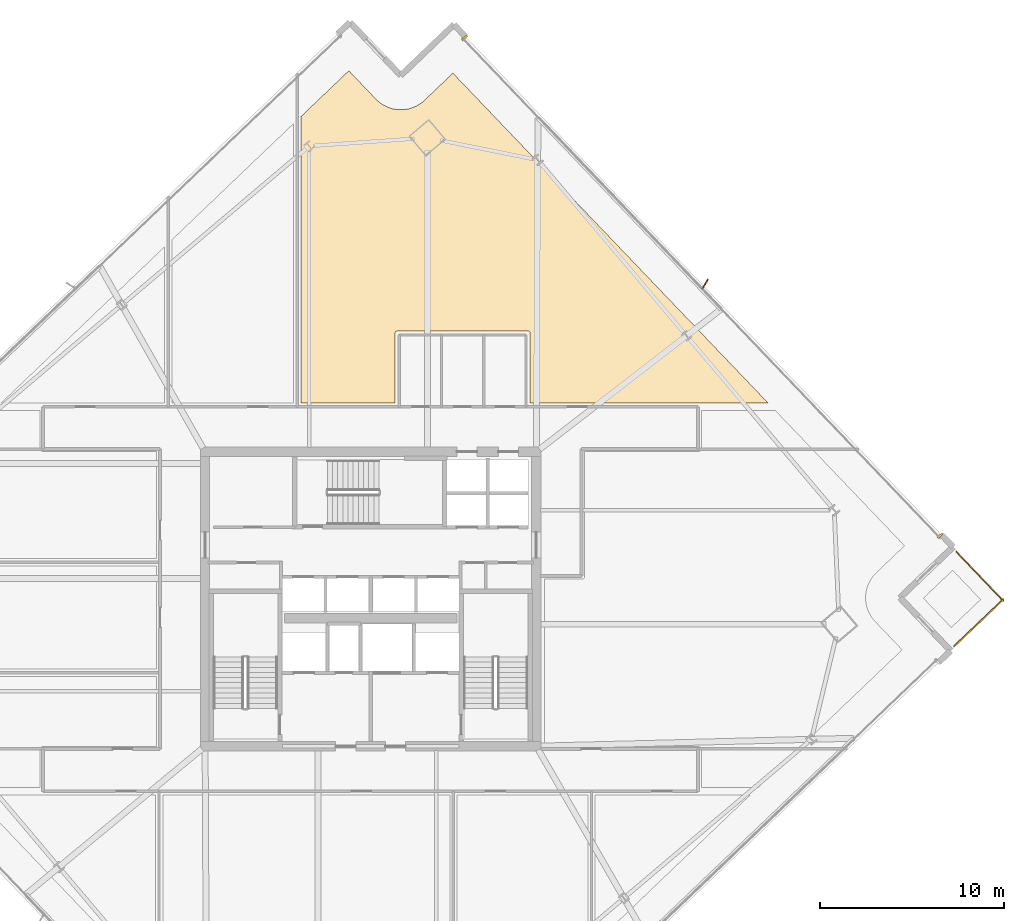
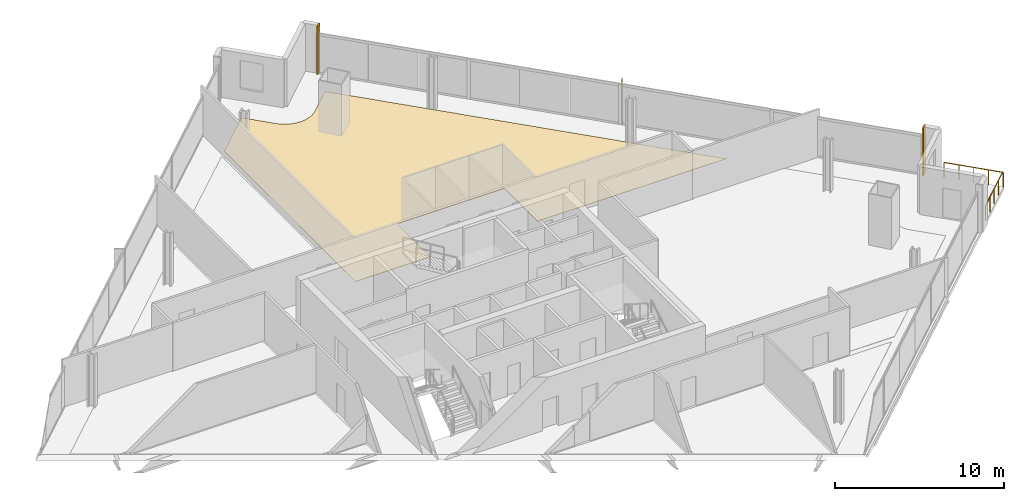
# One storey, part 33 of 33: 3 coverings, 2 railings, 1 shading device.
"""IFC4 building model written with IfcOpenShell, lengths in metres."""

from ifc_helpers import new_model, si_unit, direction, frame, origin, origin_2d, place, context, subcontext, project, spatial, polyline, rectangle, outline, extrude, source, transform, mapped, material, layer, layer_set, type_object, element, save


model = new_model("IFC4")

# Units and contexts
model_context = context("Model", 3, precision=1e-05, world=origin(), true_north=direction((0.0, 1.0)))
body_context = subcontext(model_context, "Body", "Model", "MODEL_VIEW")
ifc_project = project(units=[si_unit("LENGTHUNIT", "METRE"), si_unit("AREAUNIT", "SQUARE_METRE"), si_unit("VOLUMEUNIT", "CUBIC_METRE"), si_unit("PLANEANGLEUNIT", "RADIAN"), si_unit("MASSUNIT", "GRAM", prefix="KILO")], contexts=[model_context])

# Site, building, storey
site_placement = place(None, origin())
site = spatial("IfcSite", under=ifc_project, at=site_placement, CompositionType="ELEMENT")
building_placement = place(site_placement, origin())
building = spatial("IfcBuilding", under=site, at=building_placement, Name="Haldenkirk Collegiate Tower", CompositionType="ELEMENT")
storey_placement = place(building_placement, frame((0.0, 0.0, 174.449951171875)))
storey = spatial("IfcBuildingStorey", under=building, at=storey_placement, Name="L43", CompositionType="ELEMENT", Elevation=174.449951171875)

# Covering
ifc_material_1 = material(Name="Engineered collegiate oak acoustic flooring", Category="wood")
ifc_layer_1 = layer(ifc_material_1, 0.02197265625)
ifc_layer_set_1 = layer_set([ifc_layer_1], Name="Engineered collegiate oak acoustic flooring")
covering_type_1 = type_object("IfcCoveringType", Name="COV-FLOOR-TIMBER", PredefinedType="FLOORING", material=ifc_layer_set_1)
covering_placement = place(storey_placement, origin())
element("IfcCovering", 1, at=covering_placement, inside=storey, type_object=covering_type_1, Name="L43 academic room finish 07", PredefinedType="FLOORING", context=body_context, shape_type="SweptSolid", body=[
    extrude(outline(polyline([(36.2841796875, 53.1748046875), (36.288330078125, 53.17041015625), (36.4130859375, 53.05224609375), (36.422119140625, 53.044677734375), (36.5576171875, 52.939208984375), (36.567138671875, 52.9326171875), (36.71240234375, 52.8408203125), (36.72265625, 52.835205078125), (36.876220703125, 52.758056640625), (36.886962890625, 52.75341796875), (37.04736328125, 52.69189453125), (37.05859375, 52.688232421875), (37.22412109375, 52.642578125), (37.235595703125, 52.64013671875), (37.40478515625, 52.611083984375), (37.41650390625, 52.609619140625), (37.587890625, 52.597412109375), (37.599609375, 52.59716796875), (37.771240234375, 52.6015625), (37.783203125, 52.6025390625), (37.95361328125, 52.623779296875), (37.965087890625, 52.6259765625), (38.132568359375, 52.663818359375), (38.143798828125, 52.6669921875), (38.306884765625, 52.72119140625), (38.31787109375, 52.725341796875), (38.474609375, 52.79541015625), (38.485107421875, 52.800537109375), (38.634521484375, 52.885498046875), (38.64453125, 52.891845703125), (38.78466796875, 52.990966796875), (38.7939453125, 52.998291015625), (38.923828125, 53.110595703125), (38.927978515625, 53.114501953125), (40.468017578125, 54.586181640625), (57.6083984375, 36.64990234375), (44.669921875, 36.64990234375), (44.669921875, 40.449951171875), (44.66943359375, 40.4619140625), (44.667724609375, 40.473388671875), (44.664794921875, 40.48486328125), (44.660888671875, 40.495849609375), (44.65576171875, 40.506591796875), (44.64990234375, 40.5166015625), (44.642822265625, 40.526123046875), (44.635009765625, 40.534912109375), (44.626220703125, 40.542724609375), (44.61669921875, 40.5498046875), (44.606689453125, 40.555908203125), (44.595947265625, 40.560791015625), (44.584716796875, 40.564697265625), (44.573486328125, 40.567626953125), (44.561767578125, 40.5693359375), (44.550048828125, 40.570068359375), (37.449951171875, 40.570068359375), (37.438232421875, 40.5693359375), (37.426513671875, 40.567626953125), (37.415283203125, 40.564697265625), (37.404052734375, 40.560791015625), (37.393310546875, 40.555908203125), (37.38330078125, 40.5498046875), (37.373779296875, 40.542724609375), (37.364990234375, 40.534912109375), (37.357177734375, 40.526123046875), (37.35009765625, 40.5166015625), (37.34423828125, 40.506591796875), (37.339111328125, 40.495849609375), (37.335205078125, 40.48486328125), (37.332275390625, 40.473388671875), (37.33056640625, 40.4619140625), (37.330078125, 40.449951171875), (37.330078125, 36.64990234375), (32.199951171875, 36.64990234375), (32.199951171875, 52.218017578125), (34.812744140625, 54.714599609375), (36.2841796875, 53.1748046875)])), origin(), (0.0, 0.0, 1.0), 0.02197265625),
])

# Railings
ifc_material_2 = material(Name="Anodised architectural bronze aluminium", Category="aluminium")
railing_type = type_object("IfcRailingType", Name="RLG-TERR-BALUSTRADE-1100", PredefinedType="BALUSTRADE", material=ifc_material_2)
railing_1_placement = place(storey_placement, frame((67.72412109375, 23.444580078125, 0.0)))
element("IfcRailing", 2, at=railing_1_placement, inside=storey, type_object=railing_type, Name="L43 terrace guard balustrade 1-1", PredefinedType="BALUSTRADE", context=body_context, shape_type="SweptSolid", body=[
    extrude(rectangle(XDim=0.048095703125, YDim=0.048095703125, at=origin_2d()), frame((0.0, 0.0, 1.076171875), z_axis=(0.722947242652, 0.690903238045, 0.0), x_axis=(-0.690903238045, 0.722947242652, 0.0)), (0.0, 0.0, 1.0), 3.679931640625),
    extrude(rectangle(XDim=0.0419921875, YDim=0.0419921875, at=origin_2d()), origin(), (0.0, 0.0, 1.0), 1.052001953125),
    extrude(rectangle(XDim=0.0419921875, YDim=0.0419921875, at=origin_2d()), frame((0.6650390625, 0.6357421875, 0.0)), (0.0, 0.0, 1.0), 1.052001953125),
    extrude(rectangle(XDim=0.0419921875, YDim=0.0419921875, at=origin_2d()), frame((1.330078125, 1.271240234375, 0.0)), (0.0, 0.0, 1.0), 1.052001953125),
    extrude(rectangle(XDim=0.0419921875, YDim=0.0419921875, at=origin_2d()), frame((1.995361328125, 1.90673828125, 0.0)), (0.0, 0.0, 1.0), 1.052001953125),
    extrude(rectangle(XDim=0.0419921875, YDim=0.0419921875, at=origin_2d()), frame((2.660400390625, 2.54248046875, 0.0)), (0.0, 0.0, 1.0), 1.052001953125),
])
railing_2_placement = place(storey_placement, frame((70.382568359375, 25.902099609375, 0.0)))
element("IfcRailing", 3, at=railing_2_placement, inside=storey, type_object=railing_type, Name="L43 terrace guard balustrade 2-1", PredefinedType="BALUSTRADE", context=body_context, shape_type="SweptSolid", body=[
    extrude(rectangle(XDim=0.048095703125, YDim=0.048095703125, at=origin_2d()), frame((0.0, 0.0, 1.076171875), z_axis=(-0.690870101123, 0.722978909356, 0.0), x_axis=(-0.722978909356, -0.690870101123, 0.0)), (0.0, 0.0, 1.0), 3.68017578125),
    extrude(rectangle(XDim=0.0419921875, YDim=0.0419921875, at=origin_2d()), origin(), (0.0, 0.0, 1.0), 1.052001953125),
    extrude(rectangle(XDim=0.0419921875, YDim=0.0419921875, at=origin_2d()), frame((-0.6357421875, 0.6650390625, 0.0)), (0.0, 0.0, 1.0), 1.052001953125),
    extrude(rectangle(XDim=0.0419921875, YDim=0.0419921875, at=origin_2d()), frame((-1.271240234375, 1.330322265625, 0.0)), (0.0, 0.0, 1.0), 1.052001953125),
    extrude(rectangle(XDim=0.0419921875, YDim=0.0419921875, at=origin_2d()), frame((-1.90673828125, 1.99560546875, 0.0)), (0.0, 0.0, 1.0), 1.052001953125),
    extrude(rectangle(XDim=0.0419921875, YDim=0.0419921875, at=origin_2d()), frame((-2.54248046875, 2.66064453125, 0.0)), (0.0, 0.0, 1.0), 1.052001953125),
])

# Coverings
ifc_layer_2 = layer(ifc_material_2, 0.06005859375)
ifc_layer_set_2 = layer_set([ifc_layer_2], Name="Anodised architectural bronze aluminium")
covering_type_2 = type_object("IfcCoveringType", Name="COV-CLAD-BRONZE-60", PredefinedType="CLADDING", material=ifc_layer_set_2)
shared_shape_1 = source(origin(), body_context, "Body", "SweptSolid", [
    extrude(rectangle(XDim=0.10009765625, YDim=0.3798828125, at=origin_2d()), origin(), (0.0, 0.0, 1.0), 3.4599609375),
])
for number, where, z_axis, x_axis, name in (
    (4, (41.105712890625, 56.49560546875, 0.0), (0.0, 0.0, 1.0), (0.690882411077, -0.72296714591, 0.0), "L43 recessed curtain-wall bronze jamb closure EJL"),
    (5, (66.954833984375, 29.44580078125, 0.0), (0.0, 0.0, 1.0), (0.690882411077, -0.72296714591, 0.0), "L43 recessed curtain-wall bronze jamb closure EJR"),
):
    element("IfcCovering", number, at=place(storey_placement, frame(where, z_axis=z_axis, x_axis=x_axis)), inside=storey, type_object=covering_type_2, Name=name, PredefinedType="CLADDING", context=body_context, shape_type="MappedRepresentation", body=[
        mapped(shared_shape_1, transform((0.0, 0.0, 0.0), x_axis=(1.0, 0.0, 0.0), y_axis=(0.0, 1.0, 0.0), z_axis=(0.0, 0.0, 1.0), scale=1.0)),
    ])

# Shading device
ifc_layer_3 = layer(ifc_material_2, 0.06494140625)
ifc_layer_set_3 = layer_set([ifc_layer_3], Name="Anodised architectural bronze aluminium")
shading_device_type = type_object("IfcShadingDeviceType", Name="SHD-FIN-BRONZE-620", PredefinedType="USERDEFINED", material=ifc_layer_set_3)
shared_shape_2 = source(origin(), body_context, "Body", "SweptSolid", [
    extrude(rectangle(XDim=0.6201171875, YDim=0.06494140625, at=origin_2d()), origin(), (0.0, 0.0, 1.0), 2.910888671875),
])
shading_device_placement = place(storey_placement, frame((54.178466796875, 43.1123046875, 0.0), z_axis=(0.0, 0.0, 1.0), x_axis=(0.504527623815, 0.863395550607, 0.0)))
element("IfcShadingDevice", 6, at=shading_device_placement, inside=storey, type_object=shading_device_type, Name="L43 folded bronze solar fin 1", ObjectType="FIN", PredefinedType="USERDEFINED", context=body_context, shape_type="MappedRepresentation", body=[
    mapped(shared_shape_2, transform((0.0, 0.0, 0.0), x_axis=(1.0, 0.0, 0.0), y_axis=(0.0, 1.0, 0.0), z_axis=(0.0, 0.0, 1.0), scale=1.0)),
])

save(model, "model.ifc")
